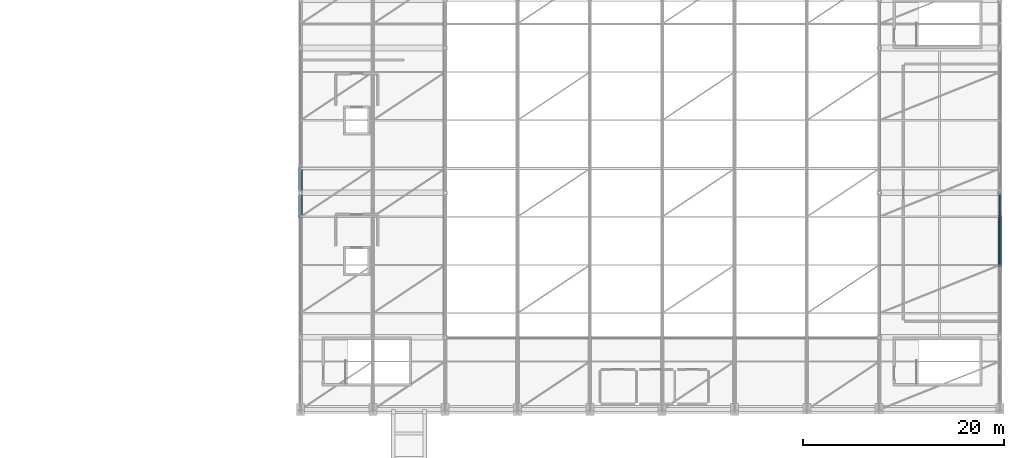
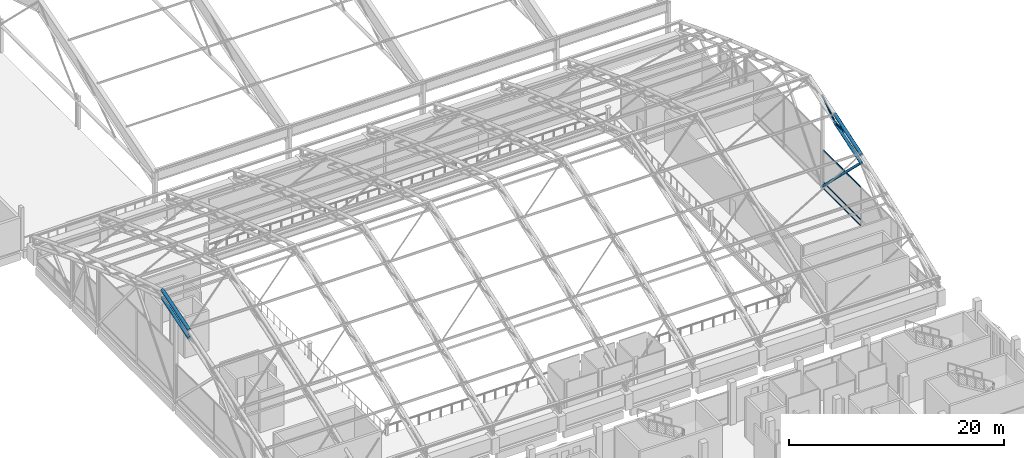
# One storey, part 43 of 116: 10 members, 1 element without a shape of its own.
"""IFC4 building model written with IfcOpenShell, lengths in metres."""

from ifc_helpers import new_model, si_unit, direction, frame, origin, origin_2d, place, context, subcontext, project, spatial, hollow_rectangle, hollow_circle, extrude, material, material_profile, profile_set, type_object, element, aggregate, save


model = new_model("IFC4")

# Units and contexts
model_context = context("Model", 3, precision=1e-05, world=origin(), true_north=direction((0.0, 1.0)))
body_context = subcontext(model_context, "Body", "Model", "MODEL_VIEW")
ifc_project = project(units=[si_unit("LENGTHUNIT", "METRE"), si_unit("AREAUNIT", "SQUARE_METRE"), si_unit("VOLUMEUNIT", "CUBIC_METRE"), si_unit("PLANEANGLEUNIT", "RADIAN"), si_unit("MASSUNIT", "GRAM", prefix="KILO")], contexts=[model_context])

# Site, building, storey
site_placement = place(None, origin())
site = spatial("IfcSite", under=ifc_project, at=site_placement, CompositionType="ELEMENT")
building_placement = place(site_placement, origin())
building = spatial("IfcBuilding", under=site, at=building_placement, Name="Cendralis Lancet Convention Centre", CompositionType="ELEMENT")
storey_placement = place(building_placement, frame((0.0, 0.0, 15.0)))
storey = spatial("IfcBuildingStorey", under=building, at=storey_placement, Name="L03", CompositionType="ELEMENT", Elevation=15.0)

# Curtain wall, members
ifc_material_1 = material(Name="Anodised bronze architectural aluminium", Category="aluminium")
curtain_wall_type = type_object("IfcCurtainWallType", Name="ARC-CW-PL02", PredefinedType="USERDEFINED", material=ifc_material_1)
curtain_wall_placement = place(storey_placement, origin())
curtain_wall = element("IfcCurtainWall", 1, at=curtain_wall_placement, inside=storey, type_object=curtain_wall_type, Name="L03 Curtain Wall CW-PL2 #142", ObjectType="CURTAIN WALL", PredefinedType="USERDEFINED")
ifc_material_profile_1 = material_profile(ifc_material_1, hollow_rectangle(XDim=0.070068359375, YDim=0.139892578125, WallThickness=0.00390625, at=origin_2d()), Name="AL-TRAN 70x140x4.0")
ifc_profile_set_1 = profile_set([ifc_material_profile_1], Name="Anodised bronze architectural aluminium")
member_type_1 = type_object("IfcMemberType", Name="ARC-CW-TR02", PredefinedType="USERDEFINED", material=ifc_profile_set_1)
member_1_placement = place(storey_placement, frame((208.800048828125, 64.530029296875, 0.070068359375), z_axis=(0.0, -1.0, 0.0), x_axis=(1.0, 0.0, 0.0)))
member_1 = element("IfcMember", 2, at=member_1_placement, type_object=member_type_1, Name="Transom CW2-CW-PL2-L03-142-T0BOT", ObjectType="TRANSOM", PredefinedType="USERDEFINED", context=body_context, shape_type="SweptSolid", body=[
    extrude(hollow_rectangle(XDim=0.070068359375, YDim=0.139892578125, WallThickness=0.00390625, at=origin_2d()), origin(), (0.0, 0.0, 1.0), 6.860107421875),
])
member_2_placement = place(storey_placement, frame((208.800048828125, 64.530029296875, 0.75), z_axis=(0.0, -1.0, 0.0), x_axis=(1.0, 0.0, 0.0)))
member_2 = element("IfcMember", 3, at=member_2_placement, type_object=member_type_1, Name="Transom CW2-CW-PL2-L03-142-T0MID", ObjectType="TRANSOM", PredefinedType="USERDEFINED", context=body_context, shape_type="SweptSolid", body=[
    extrude(hollow_rectangle(XDim=0.070068359375, YDim=0.139892578125, WallThickness=0.00390625, at=origin_2d()), origin(), (0.0, 0.0, 1.0), 6.860107421875),
])
member_3_placement = place(storey_placement, frame((208.800048828125, 64.530029296875, 4.427001953125), z_axis=(0.0, -1.0, 0.0), x_axis=(1.0, 0.0, 0.0)))
member_3 = element("IfcMember", 4, at=member_3_placement, type_object=member_type_1, Name="Transom CW2-CW-PL2-L03-142-T0TOP", ObjectType="TRANSOM", PredefinedType="USERDEFINED", context=body_context, shape_type="SweptSolid", body=[
    extrude(hollow_rectangle(XDim=0.070068359375, YDim=0.139892578125, WallThickness=0.00390625, at=origin_2d()), origin(), (0.0, 0.0, 1.0), 6.860107421875),
])
aggregate(curtain_wall, [member_1, member_2, member_3])

# Members
ifc_material_2 = material(Name="Steel S355", Category="steel")
ifc_material_profile_2 = material_profile(ifc_material_2, hollow_rectangle(XDim=0.219970703125, YDim=0.219970703125, WallThickness=0.012451171875, at=origin_2d()), Name="SHS 220x220x12.5")
ifc_profile_set_2 = profile_set([ifc_material_profile_2], Name="Steel S355")
member_type_2 = type_object("IfcMemberType", Name="STR-BR-GB02", PredefinedType="BRACE", material=ifc_profile_set_2)
member_4_placement = place(storey_placement, frame((208.800048828125, 64.800048828125, 0.199951171875), z_axis=(0.0, -0.714336093769, 0.699802790176), x_axis=(1.0, 0.0, 0.0)))
element("IfcMember", 5, at=member_4_placement, inside=storey, type_object=member_type_2, Name="Plenary Gable Gothic Ogival Tracery Rib GBR2 #074", PredefinedType="BRACE", context=body_context, shape_type="SweptSolid", body=[
    extrude(hollow_rectangle(XDim=0.219970703125, YDim=0.219970703125, WallThickness=0.012451171875, at=origin_2d()), origin(), (0.0, 0.0, 1.0), 10.0791015625),
])
ifc_material_profile_3 = material_profile(ifc_material_2, hollow_circle(Radius=0.161865234375, WallThickness=0.01416015625, at=origin_2d()), Name="CHS 323.9x14.2")
ifc_profile_set_3 = profile_set([ifc_material_profile_3], Name="Steel S355")
member_type_3 = type_object("IfcMemberType", Name="STR-TR-BC02", PredefinedType="CHORD", material=ifc_profile_set_3)
member_5_placement = place(storey_placement, frame((139.199951171875, 62.28564453125, 8.814697265625), z_axis=(0.0, 0.953497974751, 0.301399422935), x_axis=(-1.0, 0.0, 0.0)))
element("IfcMember", 6, at=member_5_placement, inside=storey, type_object=member_type_3, Name="ROOF TRUSS AT-V2-01 Bottom Chord 04", PredefinedType="CHORD", context=body_context, shape_type="SweptSolid", body=[
    extrude(hollow_circle(Radius=0.161865234375, WallThickness=0.01416015625, at=origin_2d()), origin(), (0.0, 0.0, 1.0), 5.274169921875),
])
member_6_placement = place(storey_placement, frame((208.800048828125, 57.486083984375, 7.215576171875), z_axis=(0.0, 0.948830629051, 0.315785429325), x_axis=(-1.0, 0.0, 0.0)))
element("IfcMember", 7, at=member_6_placement, inside=storey, type_object=member_type_3, Name="ROOF TRUSS AT-V2-10 Bottom Chord 03", PredefinedType="CHORD", context=body_context, shape_type="SweptSolid", body=[
    extrude(hollow_circle(Radius=0.161865234375, WallThickness=0.01416015625, at=origin_2d()), origin(), (0.0, 0.0, 1.0), 5.299072265625),
])
ifc_material_profile_4 = material_profile(ifc_material_2, hollow_circle(Radius=0.177734375, WallThickness=0.01611328125, at=origin_2d()), Name="CHS 355.6x16.0")
ifc_profile_set_4 = profile_set([ifc_material_profile_4], Name="Steel S355")
member_type_4 = type_object("IfcMemberType", Name="STR-TR-TC02", PredefinedType="CHORD", material=ifc_profile_set_4)
member_7_placement = place(storey_placement, frame((139.199951171875, 62.285400390625, 9.731201171875), z_axis=(0.0, 0.955419293566, 0.295252389458), x_axis=(-1.0, 0.0, 0.0)))
element("IfcMember", 8, at=member_7_placement, inside=storey, type_object=member_type_4, Name="ROOF TRUSS AT-V2-01 Top Chord 04", PredefinedType="CHORD", context=body_context, shape_type="SweptSolid", body=[
    extrude(hollow_circle(Radius=0.177734375, WallThickness=0.01611328125, at=origin_2d()), origin(), (0.0, 0.0, 1.0), 5.263916015625),
])
member_8_placement = place(storey_placement, frame((208.800048828125, 57.48583984375, 8.16552734375), z_axis=(0.0, 0.950812630265, 0.309766592983), x_axis=(-1.0, 0.0, 0.0)))
element("IfcMember", 9, at=member_8_placement, inside=storey, type_object=member_type_4, Name="ROOF TRUSS AT-V2-10 Top Chord 03", PredefinedType="CHORD", context=body_context, shape_type="SweptSolid", body=[
    extrude(hollow_circle(Radius=0.177734375, WallThickness=0.01611328125, at=origin_2d()), origin(), (0.0, 0.0, 1.0), 5.288330078125),
])
ifc_material_profile_5 = material_profile(ifc_material_2, hollow_circle(Radius=0.096923828125, WallThickness=0.008056640625, at=origin_2d()), Name="CHS 193.7x8.0")
ifc_profile_set_5 = profile_set([ifc_material_profile_5], Name="Steel S355")
member_type_5 = type_object("IfcMemberType", Name="STR-TR-WD02", PredefinedType="BRACE", material=ifc_profile_set_5)
member_9_placement = place(storey_placement, frame((208.800048828125, 59.900146484375, 8.990234375), z_axis=(0.0, 0.998447632237, -0.055698524939), x_axis=(-1.0, 0.0, 0.0)))
element("IfcMember", 10, at=member_9_placement, inside=storey, type_object=member_type_5, Name="ROOF TRUSS AT-V2-10 Warren Web 03-1", PredefinedType="BRACE", context=body_context, shape_type="SweptSolid", body=[
    extrude(hollow_circle(Radius=0.096923828125, WallThickness=0.008056640625, at=origin_2d()), origin(), (0.0, 0.0, 1.0), 2.603759765625),
])
member_10_placement = place(storey_placement, frame((208.800048828125, 62.317626953125, 8.794189453125), z_axis=(0.0, 0.822876843509, 0.56821976419), x_axis=(-1.0, 0.0, 0.0)))
element("IfcMember", 11, at=member_10_placement, inside=storey, type_object=member_type_5, Name="ROOF TRUSS AT-V2-10 Warren Web 04-0", PredefinedType="BRACE", context=body_context, shape_type="SweptSolid", body=[
    extrude(hollow_circle(Radius=0.096923828125, WallThickness=0.008056640625, at=origin_2d()), origin(), (0.0, 0.0, 1.0), 3.11669921875),
])

save(model, "model.ifc")
